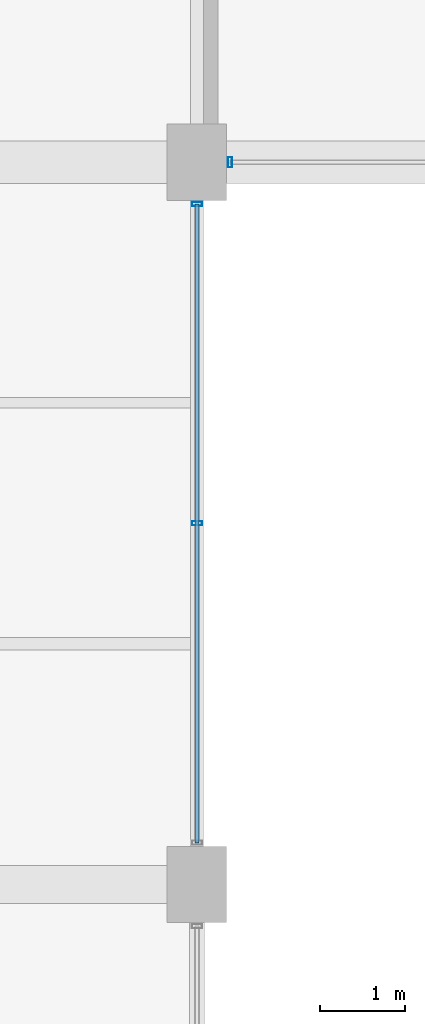
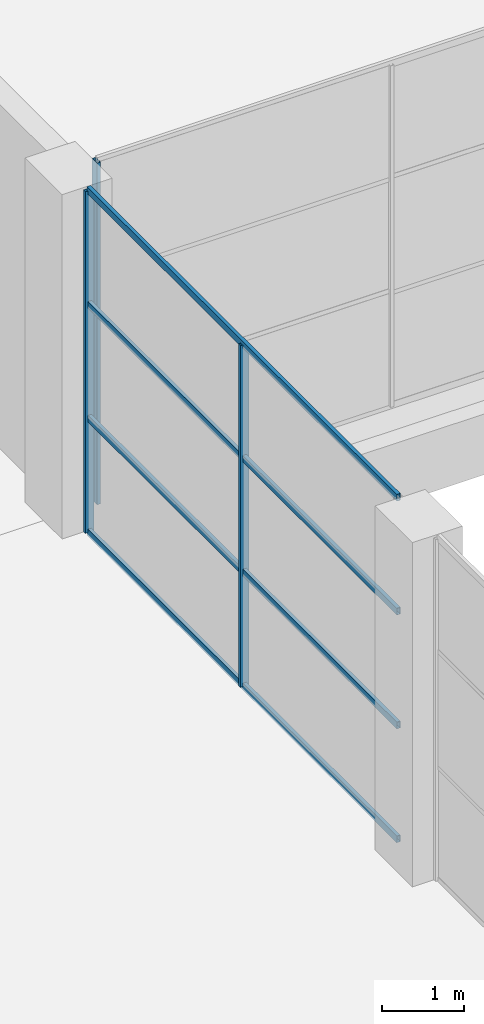
# One storey, part 50 of 90: 7 members, 2 elements without a shape of their own.
"""IFC4 building model written with IfcOpenShell, lengths in metres."""

from ifc_helpers import new_model, si_unit, direction, frame, origin, origin_2d, place, context, subcontext, project, spatial, hollow_rectangle, extrude, material, material_profile, profile_set, type_object, element, aggregate, save


model = new_model("IFC4")

# Units and contexts
model_context = context("Model", 3, precision=1e-05, world=origin(), true_north=direction((0.0, 1.0)))
body_context = subcontext(model_context, "Body", "Model", "MODEL_VIEW")
ifc_project = project(units=[si_unit("LENGTHUNIT", "METRE"), si_unit("AREAUNIT", "SQUARE_METRE"), si_unit("VOLUMEUNIT", "CUBIC_METRE"), si_unit("PLANEANGLEUNIT", "RADIAN"), si_unit("MASSUNIT", "GRAM", prefix="KILO")], contexts=[model_context])

# Site, building, storey
site_placement = place(None, origin())
site = spatial("IfcSite", under=ifc_project, at=site_placement, CompositionType="ELEMENT")
building_placement = place(site_placement, origin())
building = spatial("IfcBuilding", under=site, at=building_placement, Name="Solvikara Media Centre", CompositionType="ELEMENT")
storey_placement = place(building_placement, origin())
storey = spatial("IfcBuildingStorey", under=building, at=storey_placement, Name="L00", CompositionType="ELEMENT", Elevation=0.0)

# Curtain wall, member
ifc_material = material(Name="Anodised aluminium EN AW-6063", Category="aluminium")
curtain_wall_type = type_object("IfcCurtainWallType", Name="CW-12", PredefinedType="NOTDEFINED", material=ifc_material)
curtain_wall_1_placement = place(storey_placement, origin())
curtain_wall_1 = element("IfcCurtainWall", 1, at=curtain_wall_1_placement, inside=storey, type_object=curtain_wall_type, Name="CW-L00-CRT-3-S2", PredefinedType="NOTDEFINED")
ifc_material_profile_1 = material_profile(ifc_material, hollow_rectangle(XDim=0.050048828125, YDim=0.1201171875, WallThickness=0.0029296875, at=origin_2d()), Name="ALU-M 50x120x3")
ifc_profile_set_1 = profile_set([ifc_material_profile_1], Name="Anodised aluminium EN AW-6063")
member_type_1 = type_object("IfcMemberType", Name="MF-06", PredefinedType="MULLION", material=ifc_profile_set_1)
member_1_placement = place(storey_placement, frame((136.889892578125, 89.0, 0.02001953125), z_axis=(0.0, 0.0, 1.0), x_axis=(-1.0, 0.0, 0.0)))
member_1 = element("IfcMember", 2, at=member_1_placement, type_object=member_type_1, Name="CW-L00-CRT-3-S2-M02", PredefinedType="MULLION", context=body_context, shape_type="SweptSolid", body=[
    extrude(hollow_rectangle(XDim=0.050048828125, YDim=0.1201171875, WallThickness=0.0029296875, at=origin_2d()), origin(), (0.0, 0.0, 1.0), 5.06005859375),
])
aggregate(curtain_wall_1, [member_1])

# Curtain wall, members
curtain_wall_2_placement = place(storey_placement, origin())
curtain_wall_2 = element("IfcCurtainWall", 3, at=curtain_wall_2_placement, inside=storey, type_object=curtain_wall_type, Name="CW-L00-CRT-4-S1", PredefinedType="NOTDEFINED")
member_2_placement = place(storey_placement, frame((136.5, 88.510009765625, 0.02001953125), z_axis=(0.0, 0.0, 1.0), x_axis=(0.0, -1.0, 0.0)))
member_2 = element("IfcMember", 4, at=member_2_placement, type_object=member_type_1, Name="CW-L00-CRT-4-S1-M00", PredefinedType="MULLION", context=body_context, shape_type="SweptSolid", body=[
    extrude(hollow_rectangle(XDim=0.050048828125, YDim=0.1201171875, WallThickness=0.0029296875, at=origin_2d()), origin(), (0.0, 0.0, 1.0), 5.06005859375),
])
member_3_placement = place(storey_placement, frame((136.5, 84.75, 0.02001953125), z_axis=(0.0, 0.0, 1.0), x_axis=(0.0, -1.0, 0.0)))
member_3 = element("IfcMember", 5, at=member_3_placement, type_object=member_type_1, Name="CW-L00-CRT-4-S1-M01", PredefinedType="MULLION", context=body_context, shape_type="SweptSolid", body=[
    extrude(hollow_rectangle(XDim=0.050048828125, YDim=0.1201171875, WallThickness=0.0029296875, at=origin_2d()), origin(), (0.0, 0.0, 1.0), 5.06005859375),
])
ifc_material_profile_2 = material_profile(ifc_material, hollow_rectangle(XDim=0.050048828125, YDim=0.10009765625, WallThickness=0.0029296875, at=origin_2d()), Name="ALU-T 50x100x3")
ifc_profile_set_2 = profile_set([ifc_material_profile_2], Name="Anodised aluminium EN AW-6063")
member_type_2 = type_object("IfcMemberType", Name="MF-12", PredefinedType="USERDEFINED", material=ifc_profile_set_2)
member_4_placement = place(storey_placement, frame((136.5, 88.510009765625, 0.02001953125), z_axis=(0.0, -1.0, 0.0), x_axis=(1.0, 0.0, 0.0)))
member_4 = element("IfcMember", 6, at=member_4_placement, type_object=member_type_2, Name="CW-L00-CRT-4-S1-T00", ObjectType="TRANSOM", PredefinedType="USERDEFINED", context=body_context, shape_type="SweptSolid", body=[
    extrude(hollow_rectangle(XDim=0.050048828125, YDim=0.10009765625, WallThickness=0.0029296875, at=origin_2d()), origin(), (0.0, 0.0, 1.0), 7.52001953125),
])
member_5_placement = place(storey_placement, frame((136.5, 88.510009765625, 1.70703125), z_axis=(0.0, -1.0, 0.0), x_axis=(1.0, 0.0, 0.0)))
member_5 = element("IfcMember", 7, at=member_5_placement, type_object=member_type_2, Name="CW-L00-CRT-4-S1-T01", ObjectType="TRANSOM", PredefinedType="USERDEFINED", context=body_context, shape_type="SweptSolid", body=[
    extrude(hollow_rectangle(XDim=0.050048828125, YDim=0.10009765625, WallThickness=0.0029296875, at=origin_2d()), origin(), (0.0, 0.0, 1.0), 7.52001953125),
])
member_6_placement = place(storey_placement, frame((136.5, 88.510009765625, 3.39306640625), z_axis=(0.0, -1.0, 0.0), x_axis=(1.0, 0.0, 0.0)))
member_6 = element("IfcMember", 8, at=member_6_placement, type_object=member_type_2, Name="CW-L00-CRT-4-S1-T02", ObjectType="TRANSOM", PredefinedType="USERDEFINED", context=body_context, shape_type="SweptSolid", body=[
    extrude(hollow_rectangle(XDim=0.050048828125, YDim=0.10009765625, WallThickness=0.0029296875, at=origin_2d()), origin(), (0.0, 0.0, 1.0), 7.52001953125),
])
member_7_placement = place(storey_placement, frame((136.5, 88.510009765625, 5.080078125), z_axis=(0.0, -1.0, 0.0), x_axis=(1.0, 0.0, 0.0)))
member_7 = element("IfcMember", 9, at=member_7_placement, type_object=member_type_2, Name="CW-L00-CRT-4-S1-T03", ObjectType="TRANSOM", PredefinedType="USERDEFINED", context=body_context, shape_type="SweptSolid", body=[
    extrude(hollow_rectangle(XDim=0.050048828125, YDim=0.10009765625, WallThickness=0.0029296875, at=origin_2d()), origin(), (0.0, 0.0, 1.0), 7.52001953125),
])
aggregate(curtain_wall_2, [member_2, member_3, member_4, member_5, member_6, member_7])

save(model, "model.ifc")
